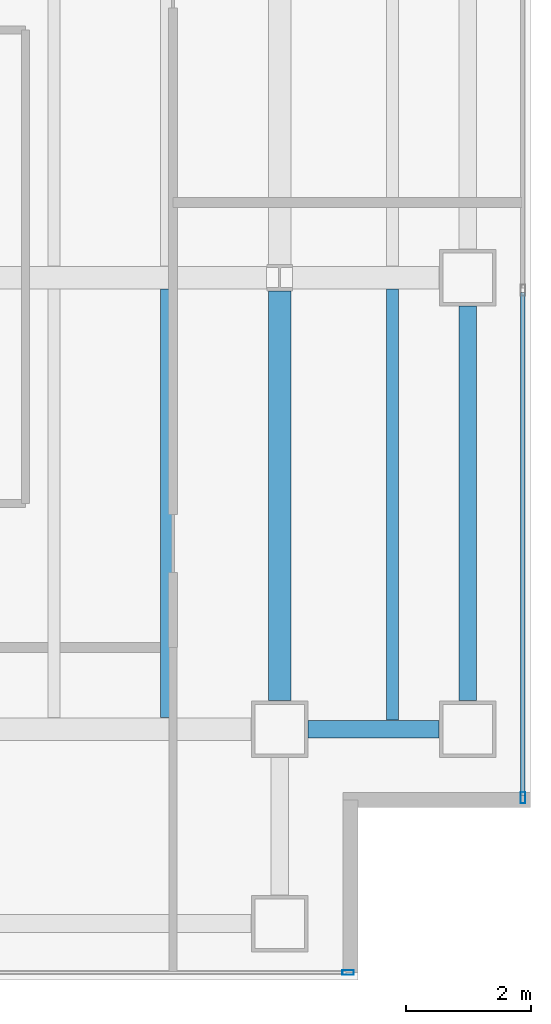
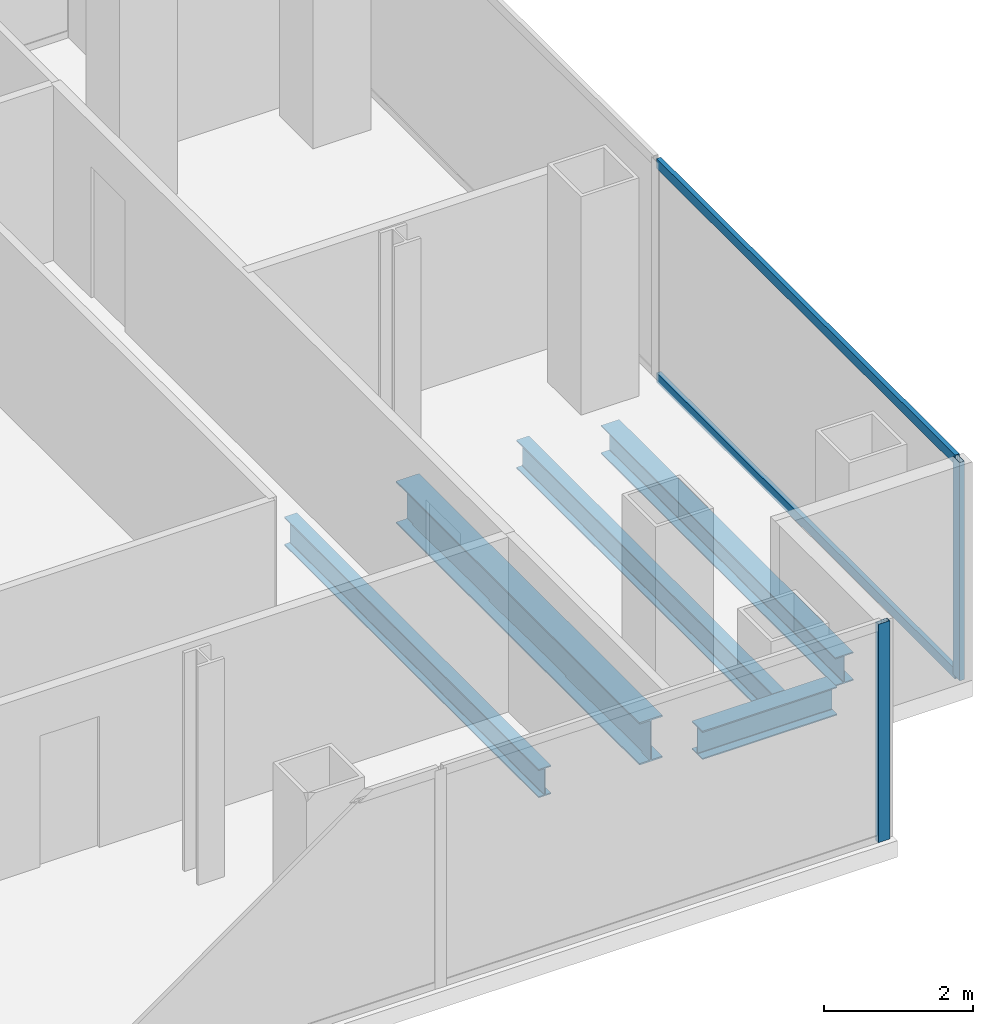
# One storey, part 11 of 23: 5 beams, 4 members, 2 elements without a shape of their own.
"""IFC4 building model written with IfcOpenShell, lengths in metres."""

from ifc_helpers import new_model, si_unit, direction, frame, origin, origin_2d, place, context, subcontext, project, spatial, hollow_rectangle, i_section, extrude, material, material_profile, profile_set, type_object, element, aggregate, save


model = new_model("IFC4")

# Units and contexts
model_context = context("Model", 3, precision=1e-05, world=origin(), true_north=direction((0.0, 1.0)))
body_context = subcontext(model_context, "Body", "Model", "MODEL_VIEW")
ifc_project = project(units=[si_unit("LENGTHUNIT", "METRE"), si_unit("AREAUNIT", "SQUARE_METRE"), si_unit("VOLUMEUNIT", "CUBIC_METRE"), si_unit("PLANEANGLEUNIT", "RADIAN"), si_unit("MASSUNIT", "GRAM", prefix="KILO")], contexts=[model_context])

# Site, building, storey
site_placement = place(None, origin())
site = spatial("IfcSite", under=ifc_project, at=site_placement, CompositionType="ELEMENT")
building_placement = place(site_placement, origin())
building = spatial("IfcBuilding", under=site, at=building_placement, Name="Cobrela Telecom Tower", CompositionType="ELEMENT")
storey_placement = place(building_placement, frame((0.0, 0.0, 125.300048828125)))
storey = spatial("IfcBuildingStorey", under=building, at=storey_placement, Name="L31", CompositionType="ELEMENT", Elevation=125.300048828125)

# Beams
ifc_material_1 = material(Name="Steel ASTM A992 Grade 50", Category="steel")
ifc_material_profile_1 = material_profile(ifc_material_1, i_section(OverallWidth=0.35595703125, OverallDepth=0.696044921875, WebThickness=0.015380859375, FlangeThickness=0.024658203125, FilletRadius=0.01806640625, at=origin_2d()), Name="W27X146")
ifc_profile_set_1 = profile_set([ifc_material_profile_1], Name="Steel ASTM A992 Grade 50")
beam_type_1 = type_object("IfcBeamType", Name="BM-GIRD-05", PredefinedType="USERDEFINED", material=ifc_profile_set_1)
beam_1_placement = place(storey_placement, frame((43.199951171875, 7.655029296875, -0.6181640625), z_axis=(0.0, 1.0, 0.0), x_axis=(-1.0, 0.0, 0.0)))
element("IfcBeam", 1, at=beam_1_placement, inside=storey, type_object=beam_type_1, Name="L31 Primary Girder Y53", ObjectType="GIRDER", PredefinedType="USERDEFINED", context=body_context, shape_type="SweptSolid", body=[
    extrude(i_section(OverallWidth=0.35595703125, OverallDepth=0.696044921875, WebThickness=0.015380859375, FlangeThickness=0.024658203125, FilletRadius=0.01806640625, at=origin_2d()), origin(), (0.0, 0.0, 1.0), 6.535400390625),
])
ifc_material_profile_2 = material_profile(ifc_material_1, i_section(OverallWidth=0.193115234375, OverallDepth=0.467041015625, WebThickness=0.011474609375, FlangeThickness=0.01904296875, FilletRadius=0.012939453125, at=origin_2d()), Name="W18X65")
ifc_profile_set_2 = profile_set([ifc_material_profile_2], Name="Steel ASTM A992 Grade 50")
beam_type_2 = type_object("IfcBeamType", Name="BM-JOIST-03", PredefinedType="JOIST", material=ifc_profile_set_2)
beam_2_placement = place(storey_placement, frame((41.39990234375, 7.383056640625, -0.503662109375), z_axis=(0.0, 1.0, 0.0), x_axis=(-1.0, 0.0, 0.0)))
element("IfcBeam", 2, at=beam_2_placement, inside=storey, type_object=beam_type_2, Name="L31 Secondary Composite Floor Beam J37", PredefinedType="JOIST", context=body_context, shape_type="SweptSolid", body=[
    extrude(i_section(OverallWidth=0.193115234375, OverallDepth=0.467041015625, WebThickness=0.011474609375, FlangeThickness=0.01904296875, FilletRadius=0.012939453125, at=origin_2d()), origin(), (0.0, 0.0, 1.0), 6.833984375),
])
beam_3_placement = place(storey_placement, frame((45.0, 7.345947265625, -0.503662109375), z_axis=(0.0, 1.0, 0.0), x_axis=(-1.0, 0.0, 0.0)))
element("IfcBeam", 3, at=beam_3_placement, inside=storey, type_object=beam_type_2, Name="L31 Secondary Composite Floor Beam J39", PredefinedType="JOIST", context=body_context, shape_type="SweptSolid", body=[
    extrude(i_section(OverallWidth=0.193115234375, OverallDepth=0.467041015625, WebThickness=0.011474609375, FlangeThickness=0.01904296875, FilletRadius=0.012939453125, at=origin_2d()), origin(), (0.0, 0.0, 1.0), 6.87109375),
])
ifc_material_profile_3 = material_profile(ifc_material_1, i_section(OverallWidth=0.281982421875, OverallDepth=0.467041015625, WebThickness=0.01220703125, FlangeThickness=0.01953125, FilletRadius=0.012939453125, at=origin_2d()), Name="W18X86")
ifc_profile_set_3 = profile_set([ifc_material_profile_3], Name="Steel ASTM A992 Grade 50")
beam_type_3 = type_object("IfcBeamType", Name="BM-SPAND-04", PredefinedType="SPANDREL", material=ifc_profile_set_3)
beam_4_placement = place(storey_placement, frame((43.655029296875, 7.199951171875, -0.503662109375), z_axis=(1.0, 0.0, 0.0), x_axis=(0.0, 1.0, 0.0)))
element("IfcBeam", 4, at=beam_4_placement, inside=storey, type_object=beam_type_3, Name="L31 Perimeter Spandrel X12", PredefinedType="SPANDREL", context=body_context, shape_type="SweptSolid", body=[
    extrude(i_section(OverallWidth=0.281982421875, OverallDepth=0.467041015625, WebThickness=0.01220703125, FlangeThickness=0.01953125, FilletRadius=0.012939453125, at=origin_2d()), origin(), (0.0, 0.0, 1.0), 2.090087890625),
])
beam_5_placement = place(storey_placement, frame((46.199951171875, 7.655029296875, -0.503662109375), z_axis=(0.0, 1.0, 0.0), x_axis=(-1.0, 0.0, 0.0)))
element("IfcBeam", 5, at=beam_5_placement, inside=storey, type_object=beam_type_3, Name="L31 Perimeter Spandrel Y55", PredefinedType="SPANDREL", context=body_context, shape_type="SweptSolid", body=[
    extrude(i_section(OverallWidth=0.281982421875, OverallDepth=0.467041015625, WebThickness=0.01220703125, FlangeThickness=0.01953125, FilletRadius=0.012939453125, at=origin_2d()), origin(), (0.0, 0.0, 1.0), 6.2900390625),
])

# Curtain wall, member
ifc_material_2 = material(Name="Anodized Bronze Aluminium 6063-T6", Category="aluminium")
curtain_wall_type = type_object("IfcCurtainWallType", Name="CW-SYS-TEL", PredefinedType="USERDEFINED", material=ifc_material_2)
curtain_wall_1_placement = place(storey_placement, origin())
curtain_wall_1 = element("IfcCurtainWall", 6, at=curtain_wall_1_placement, inside=storey, type_object=curtain_wall_type, Name="L31 Unitised Bronze Curtain Wall 14", ObjectType="UNITISED CURTAIN WALL", PredefinedType="USERDEFINED")
ifc_material_profile_4 = material_profile(ifc_material_2, hollow_rectangle(XDim=0.074951171875, YDim=0.179931640625, WallThickness=0.00390625, at=origin_2d()), Name="ALU 75x180x4")
ifc_profile_set_4 = profile_set([ifc_material_profile_4], Name="Anodized Bronze Aluminium 6063-T6")
member_type_1 = type_object("IfcMemberType", Name="CW-SYS-TEL-MUL", PredefinedType="MULLION", material=ifc_profile_set_4)
member_1_placement = place(storey_placement, frame((47.080078125, 6.107421875, 0.0), z_axis=(0.0, 0.0, 1.0), x_axis=(1.0, 0.0, 0.0)))
member_1 = element("IfcMember", 7, at=member_1_placement, type_object=member_type_1, Name="CW-TEL mullion 3", PredefinedType="MULLION", context=body_context, shape_type="SweptSolid", body=[
    extrude(hollow_rectangle(XDim=0.074951171875, YDim=0.179931640625, WallThickness=0.00390625, at=origin_2d()), origin(), (0.0, 0.0, 1.0), 3.579833984375),
])

curtain_wall_2_placement = place(storey_placement, origin())
curtain_wall_2 = element("IfcCurtainWall", 8, at=curtain_wall_2_placement, inside=storey, type_object=curtain_wall_type, Name="L31 Unitised Bronze Curtain Wall 17", ObjectType="UNITISED CURTAIN WALL", PredefinedType="USERDEFINED")
member_2_placement = place(storey_placement, frame((44.29248046875, 3.320068359375, 0.0), z_axis=(0.0, 0.0, 1.0), x_axis=(0.0, -1.0, 0.0)))
member_2 = element("IfcMember", 9, at=member_2_placement, type_object=member_type_1, Name="CW-TEL mullion 1", PredefinedType="MULLION", context=body_context, shape_type="SweptSolid", body=[
    extrude(hollow_rectangle(XDim=0.074951171875, YDim=0.179931640625, WallThickness=0.00390625, at=origin_2d()), origin(), (0.0, 0.0, 1.0), 3.579833984375),
])
aggregate(curtain_wall_2, [member_2])

# Member
ifc_material_profile_5 = material_profile(ifc_material_2, hollow_rectangle(XDim=0.070068359375, YDim=0.159912109375, WallThickness=0.00390625, at=origin_2d()), Name="ALU 70x160x4")
ifc_profile_set_5 = profile_set([ifc_material_profile_5], Name="Anodized Bronze Aluminium 6063-T6")
member_type_2 = type_object("IfcMemberType", Name="CW-SYS-TEL-TRN", PredefinedType="USERDEFINED", material=ifc_profile_set_5)
member_3_placement = place(storey_placement, frame((47.080078125, 14.16259765625, 0.034912109375), z_axis=(0.0, -1.0, 0.0), x_axis=(1.0, 0.0, 0.0)))
member_3 = element("IfcMember", 10, at=member_3_placement, type_object=member_type_2, Name="CW-TEL transom 2.1", ObjectType="TRANSOM", PredefinedType="USERDEFINED", context=body_context, shape_type="SweptSolid", body=[
    extrude(hollow_rectangle(XDim=0.070068359375, YDim=0.159912109375, WallThickness=0.00390625, at=origin_2d()), origin(), (0.0, 0.0, 1.0), 8.017578125),
])

member_4_placement = place(storey_placement, frame((47.080078125, 14.16259765625, 3.544921875), z_axis=(0.0, -1.0, 0.0), x_axis=(1.0, 0.0, 0.0)))
member_4 = element("IfcMember", 11, at=member_4_placement, type_object=member_type_2, Name="CW-TEL transom 2.2", ObjectType="TRANSOM", PredefinedType="USERDEFINED", context=body_context, shape_type="SweptSolid", body=[
    extrude(hollow_rectangle(XDim=0.070068359375, YDim=0.159912109375, WallThickness=0.00390625, at=origin_2d()), origin(), (0.0, 0.0, 1.0), 8.017578125),
])

aggregate(curtain_wall_1, [member_1, member_3, member_4])

save(model, "model.ifc")
